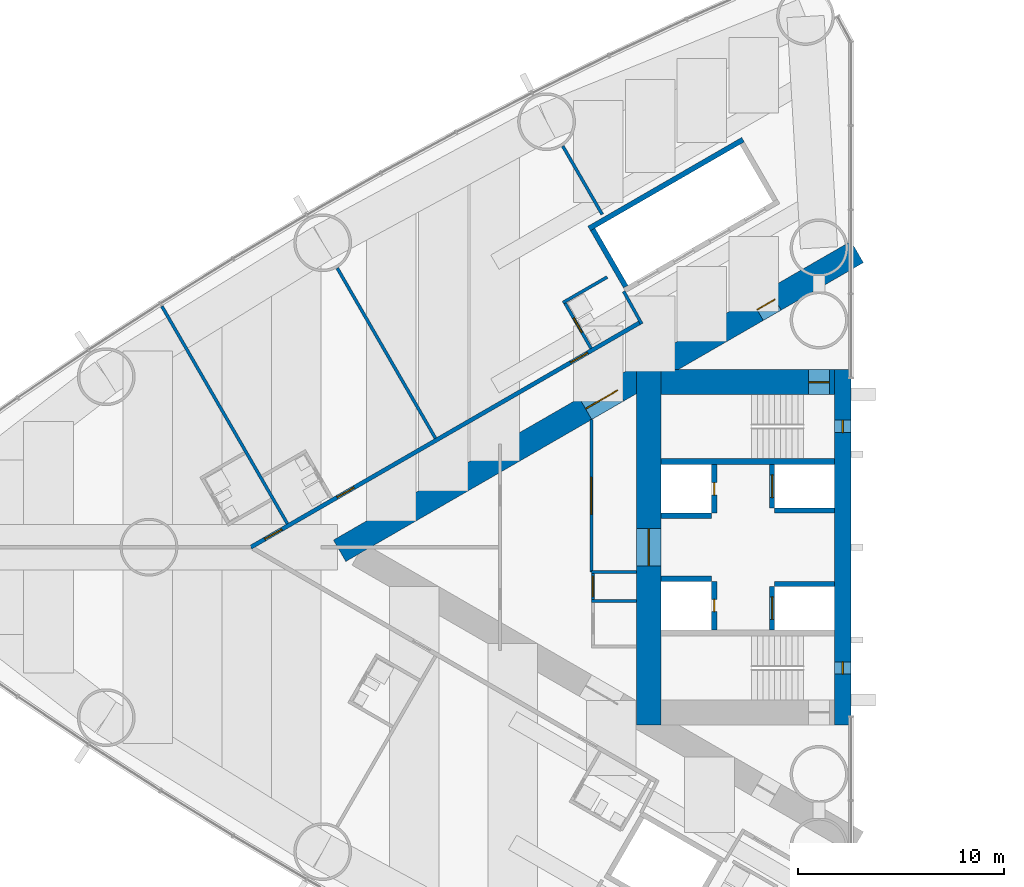
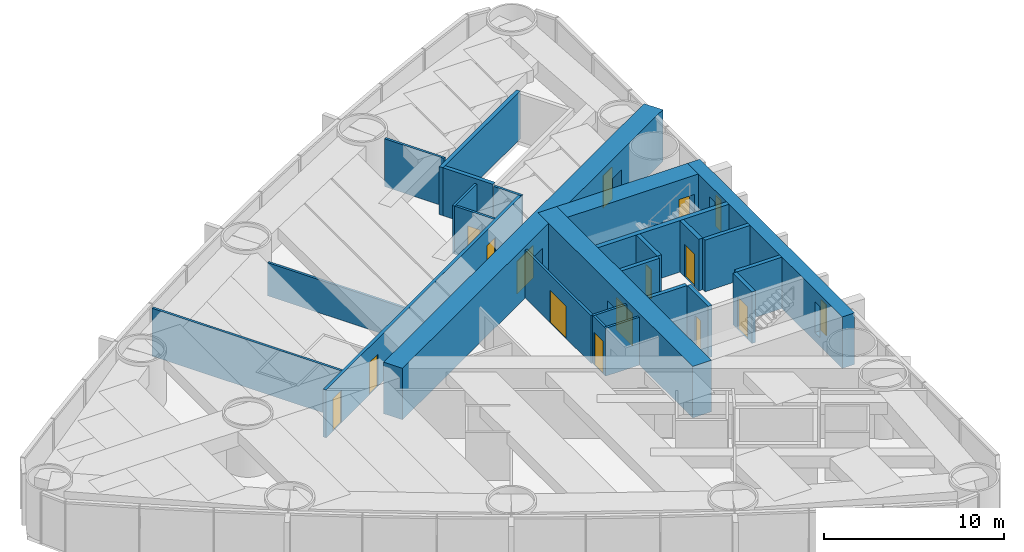
# One storey, part 12 of 19: 26 walls, 14 doors, 2 windows, 16 openings.
"""IFC4 building model written with IfcOpenShell, lengths in metres."""

from ifc_helpers import new_model, si_unit, direction, frame, frame_2d, origin, place, context, subcontext, project, spatial, rectangle, extrude, material, layer, layer_set, type_object, element, fill, save


model = new_model("IFC4")

# Units and contexts
model_context = context("Model", 3, precision=1e-05, world=origin(), true_north=direction((0.0, 1.0)))
body_context = subcontext(model_context, "Body", "Model", "MODEL_VIEW")
ifc_project = project(units=[si_unit("LENGTHUNIT", "METRE"), si_unit("AREAUNIT", "SQUARE_METRE"), si_unit("VOLUMEUNIT", "CUBIC_METRE"), si_unit("PLANEANGLEUNIT", "RADIAN"), si_unit("MASSUNIT", "GRAM", prefix="KILO")], contexts=[model_context])

# Site, building, storey
site_placement = place(None, origin())
site = spatial("IfcSite", under=ifc_project, at=site_placement, CompositionType="ELEMENT")
building_placement = place(site_placement, origin())
building = spatial("IfcBuilding", under=site, at=building_placement, Name="Lancet Gate Hotel", CompositionType="ELEMENT")
storey_placement = place(building_placement, frame((0.0, 0.0, 28.5)))
storey = spatial("IfcBuildingStorey", under=building, at=storey_placement, Name="L06", CompositionType="ELEMENT", Elevation=28.5)

# Wall
ifc_material_1 = material(Name="Moisture resistant board partition")
ifc_layer_1 = layer(ifc_material_1, 0.14990234375)
ifc_layer_set_1 = layer_set([ifc_layer_1], Name="Bathroom wall 150")
wall_type_1 = type_object("IfcWallType", Name="Bathroom wall 150", PredefinedType="PARTITIONING", material=ifc_layer_set_1)
wall_1_placement = place(storey_placement, frame((-39.309814453125, 13.081787109375, 0.0), z_axis=(0.0, 0.0, 1.0), x_axis=(-0.866031185235, -0.4999899861, 0.0)))
element("IfcWall", 1, at=wall_1_placement, inside=storey, type_object=wall_type_1, Name="T1 bathroom wall 150 L06", PredefinedType="PARTITIONING", context=body_context, shape_type="SweptSolid", body=[
    extrude(rectangle(XDim=2.47509765625, YDim=0.14990234375, at=frame_2d((1.237548828125, 0.0))), origin(), (0.0, 0.0, 1.0), 3.25),
])

# Wall, opening, door
wall_2_placement = place(storey_placement, frame((-40.08837890625, 9.630126953125, 0.0), z_axis=(0.0, 0.0, 1.0), x_axis=(-0.500006934395, 0.866021400173, 0.0)))
wall_2 = element("IfcWall", 2, at=wall_2_placement, inside=storey, type_object=wall_type_1, Name="T1 bathroom wall 150 L06", PredefinedType="PARTITIONING", context=body_context, shape_type="SweptSolid", body=[
    extrude(rectangle(XDim=2.60009765625, YDim=0.14990234375, at=frame_2d((1.300048828125, 0.0))), origin(), (0.0, 0.0, 1.0), 3.25),
])
opening_1_placement = place(wall_2_placement, frame((0.89990234375, 0.0, 0.0)))
opening_1 = element("IfcOpeningElement", 3, at=opening_1_placement, cuts=wall_2, Name="Opening 0602-B", PredefinedType="OPENING", context=body_context, shape_type="SweptSolid", body=[
    extrude(rectangle(XDim=0.800048828125, YDim=2.199951171875, at=frame_2d((0.39990234375, 1.10009765625))), frame((0.0, 0.0849609375, 0.0), z_axis=(0.0, -1.0, 0.0), x_axis=(1.0, 0.0, 0.0)), (0.0, 0.0, 1.0), 0.169921875),
])
ifc_material_2 = material(Name="Timber door set", Category="wood")
door_type_1 = type_object("IfcDoorType", Name="Bathroom door 800", OperationType="SINGLE_SWING_RIGHT", PredefinedType="DOOR", material=ifc_material_2)
door_1_placement = place(opening_1_placement, origin())
door_1 = element("IfcDoor", 4, at=door_1_placement, inside=storey, type_object=door_type_1, Name="0602-B", OperationType="SINGLE_SWING_RIGHT", OverallHeight=2.199951171875, OverallWidth=0.800048828125, PredefinedType="DOOR", context=body_context, shape_type="SweptSolid", body=[
    extrude(rectangle(XDim=0.800048828125, YDim=2.199951171875, at=frame_2d((0.39990234375, 1.10009765625))), frame((0.0, 0.02490234375, 0.0), z_axis=(0.0, -1.0, 0.0), x_axis=(1.0, 0.0, 0.0)), (0.0, 0.0, 1.0), 0.050048828125),
])
fill(opening_1, door_1)

# Wall, openings, doors
ifc_material_3 = material(Name="Concrete C70/85", Category="concrete")
ifc_layer_2 = layer(ifc_material_3, 1.199951171875)
ifc_layer_set_2 = layer_set([ifc_layer_2], Name="Buttress wall 1200")
wall_type_2 = type_object("IfcWallType", Name="Buttress wall 1200", PredefinedType="SHEAR", material=ifc_layer_set_2)
wall_3_placement = place(storey_placement, frame((-27.199951171875, 14.300048828125, 0.0), z_axis=(0.0, 0.0, 1.0), x_axis=(-0.866026593062, -0.499997940104, 0.0)))
wall_3 = element("IfcWall", 5, at=wall_3_placement, inside=storey, type_object=wall_type_2, Name="T1 buttress wall S L06", PredefinedType="SHEAR", context=body_context, shape_type="SweptSolid", body=[
    extrude(rectangle(XDim=28.9462890625, YDim=1.199951171875, at=frame_2d((14.47314453125, 0.0))), origin(), (0.0, 0.0, 1.0), 3.5),
])
opening_2_placement = place(wall_3_placement, frame((4.60009765625, 0.0, 0.0)))
opening_2 = element("IfcOpeningElement", 6, at=opening_2_placement, cuts=wall_3, Name="Opening T1-L06-LS", PredefinedType="OPENING", context=body_context, shape_type="SweptSolid", body=[
    extrude(rectangle(XDim=1.0, YDim=2.199951171875, at=frame_2d((0.5, 1.10009765625))), frame((0.0, 0.60986328125, 0.0), z_axis=(0.0, -1.0, 0.0), x_axis=(1.0, 0.0, 0.0)), (0.0, 0.0, 1.0), 1.219970703125),
])
opening_3_placement = place(wall_3_placement, frame((13.39453125, 0.0, 0.0)))
opening_3 = element("IfcOpeningElement", 7, at=opening_3_placement, cuts=wall_3, Name="Opening T1-L06-LHS", PredefinedType="OPENING", context=body_context, shape_type="SweptSolid", body=[
    extrude(rectangle(XDim=1.800048828125, YDim=2.199951171875, at=frame_2d((0.89990234375, 1.10009765625))), frame((0.0, 0.60986328125, 0.0), z_axis=(0.0, -1.0, 0.0), x_axis=(1.0, 0.0, 0.0)), (0.0, 0.0, 1.0), 1.219970703125),
])
ifc_material_4 = material(Name="Timber door set", Category="wood")
door_type_2 = type_object("IfcDoorType", Name="Lobby double door 1800", OperationType="DOUBLE_DOOR_SINGLE_SWING", PredefinedType="DOOR", material=ifc_material_4)
door_2_placement = place(opening_3_placement, origin())
door_2 = element("IfcDoor", 8, at=door_2_placement, inside=storey, type_object=door_type_2, Name="T1-L06-LHS", OperationType="DOUBLE_DOOR_SINGLE_SWING", OverallHeight=2.199951171875, OverallWidth=1.800048828125, PredefinedType="DOOR", context=body_context, shape_type="SweptSolid", body=[
    extrude(rectangle(XDim=1.800048828125, YDim=2.199951171875, at=frame_2d((0.89990234375, 1.10009765625))), frame((0.0, 0.02490234375, 0.0), z_axis=(0.0, -1.0, 0.0), x_axis=(1.0, 0.0, 0.0)), (0.0, 0.0, 1.0), 0.050048828125),
])
fill(opening_3, door_2)
ifc_material_5 = material(Name="Timber door set", Category="wood")
door_type_3 = type_object("IfcDoorType", Name="Stair lobby door 1000", OperationType="SINGLE_SWING_LEFT", PredefinedType="DOOR", material=ifc_material_5)
door_3_placement = place(opening_2_placement, origin())
door_3 = element("IfcDoor", 9, at=door_3_placement, inside=storey, type_object=door_type_3, Name="T1-L06-LS", OperationType="SINGLE_SWING_LEFT", OverallHeight=2.199951171875, OverallWidth=1.0, PredefinedType="DOOR", context=body_context, shape_type="SweptSolid", body=[
    extrude(rectangle(XDim=1.0, YDim=2.199951171875, at=frame_2d((0.5, 1.10009765625))), frame((0.0, 0.02490234375, 0.0), z_axis=(0.0, -1.0, 0.0), x_axis=(1.0, 0.0, 0.0)), (0.0, 0.0, 1.0), 0.050048828125),
])
fill(opening_2, door_3)

# Wall, opening, door
ifc_material_6 = material(Name="Concrete C70/85", Category="concrete")
ifc_layer_3 = layer(ifc_material_6, 1.199951171875)
ifc_layer_set_3 = layer_set([ifc_layer_3], Name="Core wall 1200")
wall_type_3 = type_object("IfcWallType", Name="Core wall 1200", PredefinedType="SHEAR", material=ifc_layer_set_3)
wall_4_placement = place(storey_placement, frame((-37.300048828125, 8.60009765625, 0.0), z_axis=(0.0, 0.0, 1.0), x_axis=(0.0, -1.0, 0.0)))
wall_4 = element("IfcWall", 10, at=wall_4_placement, inside=storey, type_object=wall_type_3, Name="T1 core wall back L06", PredefinedType="SHEAR", context=body_context, shape_type="SweptSolid", body=[
    extrude(rectangle(XDim=17.2001953125, YDim=1.199951171875, at=frame_2d((8.60009765625, 0.0))), origin(), (0.0, 0.0, 1.0), 3.5),
])
opening_4_placement = place(wall_4_placement, frame((7.699951171875, 0.0, 0.0)))
opening_4 = element("IfcOpeningElement", 11, at=opening_4_placement, cuts=wall_4, Name="Opening T1-L06-LL", PredefinedType="OPENING", context=body_context, shape_type="SweptSolid", body=[
    extrude(rectangle(XDim=1.800048828125, YDim=2.199951171875, at=frame_2d((0.89990234375, 1.10009765625))), frame((0.0, 0.60986328125, 0.0), z_axis=(0.0, -1.0, 0.0), x_axis=(1.0, 0.0, 0.0)), (0.0, 0.0, 1.0), 1.219970703125),
])
door_4_placement = place(opening_4_placement, origin())
door_4 = element("IfcDoor", 12, at=door_4_placement, inside=storey, type_object=door_type_2, Name="T1-L06-LL", OperationType="DOUBLE_DOOR_SINGLE_SWING", OverallHeight=2.199951171875, OverallWidth=1.800048828125, PredefinedType="DOOR", context=body_context, shape_type="SweptSolid", body=[
    extrude(rectangle(XDim=1.800048828125, YDim=2.199951171875, at=frame_2d((0.89990234375, 1.10009765625))), frame((0.0, 0.02490234375, 0.0), z_axis=(0.0, -1.0, 0.0), x_axis=(1.0, 0.0, 0.0)), (0.0, 0.0, 1.0), 0.050048828125),
])
fill(opening_4, door_4)

wall_5_placement = place(storey_placement, frame((-28.300048828125, 8.0, 0.0), z_axis=(0.0, 0.0, 1.0), x_axis=(-1.0, 0.0, 0.0)))
wall_5 = element("IfcWall", 13, at=wall_5_placement, inside=storey, type_object=wall_type_3, Name="T1 core wall side-S L06", PredefinedType="SHEAR", context=body_context, shape_type="SweptSolid", body=[
    extrude(rectangle(XDim=8.39990234375, YDim=1.199951171875, at=frame_2d((4.199951171875, 0.0))), origin(), (0.0, 0.0, 1.0), 3.5),
])
opening_5_placement = place(wall_5_placement, frame((0.25, 0.0, 0.0)))
opening_5 = element("IfcOpeningElement", 14, at=opening_5_placement, cuts=wall_5, Name="Opening T1-L06-ST1", PredefinedType="OPENING", context=body_context, shape_type="SweptSolid", body=[
    extrude(rectangle(XDim=1.0, YDim=2.199951171875, at=frame_2d((0.5, 1.10009765625))), frame((0.0, 0.60986328125, 0.0), z_axis=(0.0, -1.0, 0.0), x_axis=(1.0, 0.0, 0.0)), (0.0, 0.0, 1.0), 1.219970703125),
])
ifc_material_7 = material(Name="Timber door set", Category="wood")
door_type_4 = type_object("IfcDoorType", Name="Stair door 1000", OperationType="SINGLE_SWING_RIGHT", PredefinedType="DOOR", material=ifc_material_7)
door_5_placement = place(opening_5_placement, origin())
door_5 = element("IfcDoor", 15, at=door_5_placement, inside=storey, type_object=door_type_4, Name="T1-L06-ST1", OperationType="SINGLE_SWING_RIGHT", OverallHeight=2.199951171875, OverallWidth=1.0, PredefinedType="DOOR", context=body_context, shape_type="SweptSolid", body=[
    extrude(rectangle(XDim=1.0, YDim=2.199951171875, at=frame_2d((0.5, 1.10009765625))), frame((0.0, 0.02490234375, 0.0), z_axis=(0.0, -1.0, 0.0), x_axis=(1.0, 0.0, 0.0)), (0.0, 0.0, 1.0), 0.050048828125),
])
fill(opening_5, door_5)

# Wall, openings, windows
ifc_material_8 = material(Name="Concrete C70/85", Category="concrete")
ifc_layer_4 = layer(ifc_material_8, 0.800048828125)
ifc_layer_set_4 = layer_set([ifc_layer_4], Name="Core wall 800")
wall_type_4 = type_object("IfcWallType", Name="Core wall 800", PredefinedType="SHEAR", material=ifc_layer_set_4)
wall_6_placement = place(storey_placement, frame((-27.89990234375, 8.60009765625, 0.0), z_axis=(0.0, 0.0, 1.0), x_axis=(0.0, -1.0, 0.0)))
wall_6 = element("IfcWall", 16, at=wall_6_placement, inside=storey, type_object=wall_type_4, Name="T1 core wall front L06", PredefinedType="SHEAR", context=body_context, shape_type="SweptSolid", body=[
    extrude(rectangle(XDim=17.2001953125, YDim=0.800048828125, at=frame_2d((8.60009765625, 0.0))), origin(), (0.0, 0.0, 1.0), 3.5),
])
opening_6_placement = place(wall_6_placement, frame((2.449951171875, 0.0, 0.60009765625)))
opening_6 = element("IfcOpeningElement", 17, at=opening_6_placement, cuts=wall_6, Name="Opening LW1", PredefinedType="OPENING", context=body_context, shape_type="SweptSolid", body=[
    extrude(rectangle(XDim=0.60009765625, YDim=2.10009765625, at=frame_2d((0.300048828125, 1.050048828125))), frame((0.0, 0.409912109375, 0.0), z_axis=(0.0, -1.0, 0.0), x_axis=(1.0, 0.0, 0.0)), (0.0, 0.0, 1.0), 0.820068359375),
])
opening_7_placement = place(wall_6_placement, frame((14.14990234375, 0.0, 0.60009765625)))
opening_7 = element("IfcOpeningElement", 18, at=opening_7_placement, cuts=wall_6, Name="Opening LW1", PredefinedType="OPENING", context=body_context, shape_type="SweptSolid", body=[
    extrude(rectangle(XDim=0.60009765625, YDim=2.10009765625, at=frame_2d((0.300048828125, 1.050048828125))), frame((0.0, 0.409912109375, 0.0), z_axis=(0.0, -1.0, 0.0), x_axis=(1.0, 0.0, 0.0)), (0.0, 0.0, 1.0), 0.820068359375),
])
ifc_material_9 = material(Name="Fire-resisting glazed steel window", Category="steel")
window_type = type_object("IfcWindowType", Name="Lancet window 600x2100", PartitioningType="SINGLE_PANEL", PredefinedType="WINDOW", material=ifc_material_9)
window_1_placement = place(opening_6_placement, origin())
window_1 = element("IfcWindow", 19, at=window_1_placement, inside=storey, type_object=window_type, Name="T1 stair window S L06", OverallHeight=2.10009765625, OverallWidth=0.60009765625, PartitioningType="SINGLE_PANEL", PredefinedType="WINDOW", context=body_context, shape_type="SweptSolid", body=[
    extrude(rectangle(XDim=0.60009765625, YDim=2.10009765625, at=frame_2d((0.300048828125, 1.050048828125))), frame((0.0, 0.030029296875, 0.0), z_axis=(0.0, -1.0, 0.0), x_axis=(1.0, 0.0, 0.0)), (0.0, 0.0, 1.0), 0.06005859375),
])
fill(opening_6, window_1)
window_2_placement = place(opening_7_placement, origin())
window_2 = element("IfcWindow", 20, at=window_2_placement, inside=storey, type_object=window_type, Name="T1 stair window N L06", OverallHeight=2.10009765625, OverallWidth=0.60009765625, PartitioningType="SINGLE_PANEL", PredefinedType="WINDOW", context=body_context, shape_type="SweptSolid", body=[
    extrude(rectangle(XDim=0.60009765625, YDim=2.10009765625, at=frame_2d((0.300048828125, 1.050048828125))), frame((0.0, 0.030029296875, 0.0), z_axis=(0.0, -1.0, 0.0), x_axis=(1.0, 0.0, 0.0)), (0.0, 0.0, 1.0), 0.06005859375),
])
fill(opening_7, window_2)

# Wall, openings, doors
ifc_material_10 = material(Name="Gypsum board partition")
ifc_layer_5 = layer(ifc_material_10, 0.199951171875)
ifc_layer_set_5 = layer_set([ifc_layer_5], Name="Corridor wall 200")
wall_type_5 = type_object("IfcWallType", Name="Corridor wall 200", PredefinedType="PARTITIONING", material=ifc_layer_set_5)
wall_7_placement = place(storey_placement, frame((-37.699951171875, 10.8935546875, 0.0), z_axis=(0.0, 0.0, 1.0), x_axis=(-0.866027905338, -0.499995667157, 0.0)))
wall_7 = element("IfcWall", 21, at=wall_7_placement, inside=storey, type_object=wall_type_5, Name="T1 corridor wall 200 L06", PredefinedType="PARTITIONING", context=body_context, shape_type="SweptSolid", body=[
    extrude(rectangle(XDim=21.787353515625, YDim=0.199951171875, at=frame_2d((10.8935546875, 0.0))), origin(), (0.0, 0.0, 1.0), 3.25),
])
opening_8_placement = place(wall_7_placement, frame((16.008056640625, 0.0, 0.0)))
opening_8 = element("IfcOpeningElement", 22, at=opening_8_placement, cuts=wall_7, Name="Opening 0603-E", PredefinedType="OPENING", context=body_context, shape_type="SweptSolid", body=[
    extrude(rectangle(XDim=0.949951171875, YDim=2.199951171875, at=frame_2d((0.47509765625, 1.10009765625))), frame((0.0, 0.10986328125, 0.0), z_axis=(0.0, -1.0, 0.0), x_axis=(1.0, 0.0, 0.0)), (0.0, 0.0, 1.0), 0.219970703125),
])
opening_9_placement = place(wall_7_placement, frame((20.05810546875, 0.0, 0.0)))
opening_9 = element("IfcOpeningElement", 23, at=opening_9_placement, cuts=wall_7, Name="Opening 0604-E", PredefinedType="OPENING", context=body_context, shape_type="SweptSolid", body=[
    extrude(rectangle(XDim=0.949951171875, YDim=2.199951171875, at=frame_2d((0.47509765625, 1.10009765625))), frame((0.0, 0.10986328125, 0.0), z_axis=(0.0, -1.0, 0.0), x_axis=(1.0, 0.0, 0.0)), (0.0, 0.0, 1.0), 0.219970703125),
])
opening_10_placement = place(wall_7_placement, frame((2.949951171875, 0.0, 0.0)))
opening_10 = element("IfcOpeningElement", 24, at=opening_10_placement, cuts=wall_7, Name="Opening 0602-E", PredefinedType="OPENING", context=body_context, shape_type="SweptSolid", body=[
    extrude(rectangle(XDim=0.949951171875, YDim=2.199951171875, at=frame_2d((0.47509765625, 1.10009765625))), frame((0.0, 0.10986328125, 0.0), z_axis=(0.0, -1.0, 0.0), x_axis=(1.0, 0.0, 0.0)), (0.0, 0.0, 1.0), 0.219970703125),
])
ifc_material_11 = material(Name="Timber door set", Category="wood")
door_type_5 = type_object("IfcDoorType", Name="Guest room entry door 950", OperationType="SINGLE_SWING_LEFT", PredefinedType="DOOR", material=ifc_material_11)
door_6_placement = place(opening_8_placement, origin())
door_6 = element("IfcDoor", 25, at=door_6_placement, inside=storey, type_object=door_type_5, Name="0603-E", OperationType="SINGLE_SWING_LEFT", OverallHeight=2.199951171875, OverallWidth=0.949951171875, PredefinedType="DOOR", context=body_context, shape_type="SweptSolid", body=[
    extrude(rectangle(XDim=0.949951171875, YDim=2.199951171875, at=frame_2d((0.47509765625, 1.10009765625))), frame((0.0, 0.02490234375, 0.0), z_axis=(0.0, -1.0, 0.0), x_axis=(1.0, 0.0, 0.0)), (0.0, 0.0, 1.0), 0.050048828125),
])
fill(opening_8, door_6)
door_7_placement = place(opening_9_placement, origin())
door_7 = element("IfcDoor", 26, at=door_7_placement, inside=storey, type_object=door_type_5, Name="0604-E", OperationType="SINGLE_SWING_LEFT", OverallHeight=2.199951171875, OverallWidth=0.949951171875, PredefinedType="DOOR", context=body_context, shape_type="SweptSolid", body=[
    extrude(rectangle(XDim=0.949951171875, YDim=2.199951171875, at=frame_2d((0.47509765625, 1.10009765625))), frame((0.0, 0.02490234375, 0.0), z_axis=(0.0, -1.0, 0.0), x_axis=(1.0, 0.0, 0.0)), (0.0, 0.0, 1.0), 0.050048828125),
])
fill(opening_9, door_7)
door_8_placement = place(opening_10_placement, origin())
door_8 = element("IfcDoor", 27, at=door_8_placement, inside=storey, type_object=door_type_5, Name="0602-E", OperationType="SINGLE_SWING_LEFT", OverallHeight=2.199951171875, OverallWidth=0.949951171875, PredefinedType="DOOR", context=body_context, shape_type="SweptSolid", body=[
    extrude(rectangle(XDim=0.949951171875, YDim=2.199951171875, at=frame_2d((0.47509765625, 1.10009765625))), frame((0.0, 0.02490234375, 0.0), z_axis=(0.0, -1.0, 0.0), x_axis=(1.0, 0.0, 0.0)), (0.0, 0.0, 1.0), 0.050048828125),
])
fill(opening_10, door_8)

# Walls
ifc_material_12 = material(Name="Gypsum board partition")
ifc_layer_6 = layer(ifc_material_12, 0.25)
ifc_layer_set_6 = layer_set([ifc_layer_6], Name="Lift shaft partition 250")
wall_type_6 = type_object("IfcWallType", Name="Lift shaft partition 250", PredefinedType="PARTITIONING", material=ifc_layer_set_6)
wall_8_placement = place(storey_placement, frame((-32.735595703125, 19.73583984375, 0.0), z_axis=(0.0, 0.0, 1.0), x_axis=(-0.866028165386, -0.499995216735, 0.0)))
element("IfcWall", 28, at=wall_8_placement, inside=storey, type_object=wall_type_6, Name="T1 lift shaft wall LR L06", PredefinedType="PARTITIONING", context=body_context, shape_type="SweptSolid", body=[
    extrude(rectangle(XDim=8.60009765625, YDim=0.25, at=frame_2d((4.300048828125, 0.0))), origin(), (0.0, 0.0, 1.0), 3.25),
])
wall_9_placement = place(storey_placement, frame((-38.412841796875, 12.617919921875, 0.0), z_axis=(0.0, 0.0, 1.0), x_axis=(-0.499872130319, 0.866099216793, 0.0)))
element("IfcWall", 29, at=wall_9_placement, inside=storey, type_object=wall_type_6, Name="T1 lift shaft wall LR L06", PredefinedType="PARTITIONING", context=body_context, shape_type="SweptSolid", body=[
    extrude(rectangle(XDim=3.200439453125, YDim=0.25, at=frame_2d((1.60009765625, 0.0))), origin(), (0.0, 0.0, 1.0), 3.25),
])

# Wall, opening, door
ifc_material_13 = material(Name="Concrete C50/60", Category="concrete")
ifc_layer_7 = layer(ifc_material_13, 0.25)
ifc_layer_set_7 = layer_set([ifc_layer_7], Name="Lift shaft wall 250")
wall_type_7 = type_object("IfcWallType", Name="Lift shaft wall 250", PredefinedType="SHEAR", material=ifc_layer_set_7)
wall_10_placement = place(storey_placement, frame((-31.324951171875, 4.0, 0.0), z_axis=(0.0, 0.0, 1.0), x_axis=(0.0, -1.0, 0.0)))
wall_10 = element("IfcWall", 30, at=wall_10_placement, inside=storey, type_object=wall_type_7, Name="T1 core wall row1-S L06", PredefinedType="SHEAR", context=body_context, shape_type="SweptSolid", body=[
    extrude(rectangle(XDim=2.10009765625, YDim=0.25, at=frame_2d((1.050048828125, 0.0))), origin(), (0.0, 0.0, 1.0), 3.5),
])
opening_11_placement = place(wall_10_placement, frame((0.5, 0.0, 0.0)))
opening_11 = element("IfcOpeningElement", 31, at=opening_11_placement, cuts=wall_10, Name="Opening T1-SL1-L06", PredefinedType="OPENING", context=body_context, shape_type="SweptSolid", body=[
    extrude(rectangle(XDim=1.10009765625, YDim=2.199951171875, at=frame_2d((0.550048828125, 1.10009765625))), frame((0.0, 0.135009765625, 0.0), z_axis=(0.0, -1.0, 0.0), x_axis=(1.0, 0.0, 0.0)), (0.0, 0.0, 1.0), 0.27001953125),
])
ifc_material_14 = material(Name="Timber door set", Category="wood")
door_type_6 = type_object("IfcDoorType", Name="Service lift landing door 1100", OperationType="SLIDING_TO_LEFT", PredefinedType="USERDEFINED", material=ifc_material_14)
door_9_placement = place(opening_11_placement, origin())
door_9 = element("IfcDoor", 32, at=door_9_placement, inside=storey, type_object=door_type_6, Name="T1-SL1-L06", ObjectType="LIFT LANDING DOOR", OperationType="SLIDING_TO_LEFT", OverallHeight=2.199951171875, OverallWidth=1.10009765625, PredefinedType="USERDEFINED", context=body_context, shape_type="SweptSolid", body=[
    extrude(rectangle(XDim=1.10009765625, YDim=2.199951171875, at=frame_2d((0.550048828125, 1.10009765625))), frame((0.0, 0.02490234375, 0.0), z_axis=(0.0, -1.0, 0.0), x_axis=(1.0, 0.0, 0.0)), (0.0, 0.0, 1.0), 0.050048828125),
])
fill(opening_11, door_9)

wall_11_placement = place(storey_placement, frame((-34.125, 4.0, 0.0), z_axis=(0.0, 0.0, 1.0), x_axis=(0.0, -1.0, 0.0)))
wall_11 = element("IfcWall", 33, at=wall_11_placement, inside=storey, type_object=wall_type_7, Name="T1 core wall row2-S L06", PredefinedType="SHEAR", context=body_context, shape_type="SweptSolid", body=[
    extrude(rectangle(XDim=2.35009765625, YDim=0.25, at=frame_2d((1.175048828125, 0.0))), origin(), (0.0, 0.0, 1.0), 3.5),
])
opening_12_placement = place(wall_11_placement, frame((0.875, 0.0, 0.0)))
opening_12 = element("IfcOpeningElement", 34, at=opening_12_placement, cuts=wall_11, Name="Opening T1-OL3-L06-E", PredefinedType="OPENING", context=body_context, shape_type="SweptSolid", body=[
    extrude(rectangle(XDim=0.60009765625, YDim=2.0, at=frame_2d((0.300048828125, 1.0))), frame((0.0, 0.135009765625, 0.0), z_axis=(0.0, -1.0, 0.0), x_axis=(1.0, 0.0, 0.0)), (0.0, 0.0, 1.0), 0.27001953125),
])
ifc_material_15 = material(Name="Steel door set", Category="steel")
door_type_7 = type_object("IfcDoorType", Name="Lift shaft emergency door 600x2000", OperationType="SLIDING_TO_LEFT", PredefinedType="DOOR", material=ifc_material_15)
door_10_placement = place(opening_12_placement, origin())
door_10 = element("IfcDoor", 35, at=door_10_placement, inside=storey, type_object=door_type_7, Name="T1-OL3-L06-E", OperationType="SLIDING_TO_LEFT", OverallHeight=2.0, OverallWidth=0.60009765625, PredefinedType="DOOR", context=body_context, shape_type="SweptSolid", body=[
    extrude(rectangle(XDim=0.60009765625, YDim=2.0, at=frame_2d((0.300048828125, 1.0))), frame((0.0, 0.02490234375, 0.0), z_axis=(0.0, -1.0, 0.0), x_axis=(1.0, 0.0, 0.0)), (0.0, 0.0, 1.0), 0.050048828125),
])
fill(opening_12, door_10)

# Walls
wall_12_placement = place(storey_placement, frame((-28.300048828125, 1.77490234375, 0.0), z_axis=(0.0, 0.0, 1.0), x_axis=(-1.0, 0.0, 0.0)))
element("IfcWall", 36, at=wall_12_placement, inside=storey, type_object=wall_type_7, Name="T1 core wall pass1-S L06", PredefinedType="SHEAR", context=body_context, shape_type="SweptSolid", body=[
    extrude(rectangle(XDim=2.89990234375, YDim=0.25, at=frame_2d((1.449951171875, 0.0))), origin(), (0.0, 0.0, 1.0), 3.5),
])
wall_13_placement = place(storey_placement, frame((-34.25, 1.52490234375, 0.0), z_axis=(0.0, 0.0, 1.0), x_axis=(-1.0, 0.0, 0.0)))
element("IfcWall", 37, at=wall_13_placement, inside=storey, type_object=wall_type_7, Name="T1 core wall pass2-S L06", PredefinedType="SHEAR", context=body_context, shape_type="SweptSolid", body=[
    extrude(rectangle(XDim=2.449951171875, YDim=0.25, at=frame_2d((1.22509765625, 0.0))), origin(), (0.0, 0.0, 1.0), 3.5),
])

# Wall, opening, door
wall_14_placement = place(storey_placement, frame((-31.324951171875, -1.89990234375, 0.0), z_axis=(0.0, 0.0, 1.0), x_axis=(0.0, -1.0, 0.0)))
wall_14 = element("IfcWall", 38, at=wall_14_placement, inside=storey, type_object=wall_type_7, Name="T1 core wall row1-N L06", PredefinedType="SHEAR", context=body_context, shape_type="SweptSolid", body=[
    extrude(rectangle(XDim=2.10009765625, YDim=0.25, at=frame_2d((1.050048828125, 0.0))), origin(), (0.0, 0.0, 1.0), 3.5),
])
opening_13_placement = place(wall_14_placement, frame((0.5, 0.0, 0.0)))
opening_13 = element("IfcOpeningElement", 39, at=opening_13_placement, cuts=wall_14, Name="Opening T1-FL2-L06", PredefinedType="OPENING", context=body_context, shape_type="SweptSolid", body=[
    extrude(rectangle(XDim=1.10009765625, YDim=2.199951171875, at=frame_2d((0.550048828125, 1.10009765625))), frame((0.0, 0.135009765625, 0.0), z_axis=(0.0, -1.0, 0.0), x_axis=(1.0, 0.0, 0.0)), (0.0, 0.0, 1.0), 0.27001953125),
])
ifc_material_16 = material(Name="Steel door set", Category="steel")
door_type_8 = type_object("IfcDoorType", Name="Firefighting lift landing door 1100", OperationType="SLIDING_TO_LEFT", PredefinedType="USERDEFINED", material=ifc_material_16)
door_11_placement = place(opening_13_placement, origin())
door_11 = element("IfcDoor", 40, at=door_11_placement, inside=storey, type_object=door_type_8, Name="T1-FL2-L06", ObjectType="LIFT LANDING DOOR", OperationType="SLIDING_TO_LEFT", OverallHeight=2.199951171875, OverallWidth=1.10009765625, PredefinedType="USERDEFINED", context=body_context, shape_type="SweptSolid", body=[
    extrude(rectangle(XDim=1.10009765625, YDim=2.199951171875, at=frame_2d((0.550048828125, 1.10009765625))), frame((0.0, 0.02490234375, 0.0), z_axis=(0.0, -1.0, 0.0), x_axis=(1.0, 0.0, 0.0)), (0.0, 0.0, 1.0), 0.050048828125),
])
fill(opening_13, door_11)

wall_15_placement = place(storey_placement, frame((-34.125, -1.64990234375, 0.0), z_axis=(0.0, 0.0, 1.0), x_axis=(0.0, -1.0, 0.0)))
wall_15 = element("IfcWall", 41, at=wall_15_placement, inside=storey, type_object=wall_type_7, Name="T1 core wall row2-N L06", PredefinedType="SHEAR", context=body_context, shape_type="SweptSolid", body=[
    extrude(rectangle(XDim=2.35009765625, YDim=0.25, at=frame_2d((1.175048828125, 0.0))), origin(), (0.0, 0.0, 1.0), 3.5),
])
opening_14_placement = place(wall_15_placement, frame((0.875, 0.0, 0.0)))
opening_14 = element("IfcOpeningElement", 42, at=opening_14_placement, cuts=wall_15, Name="Opening T1-OL4-L06-E", PredefinedType="OPENING", context=body_context, shape_type="SweptSolid", body=[
    extrude(rectangle(XDim=0.60009765625, YDim=2.0, at=frame_2d((0.300048828125, 1.0))), frame((0.0, 0.135009765625, 0.0), z_axis=(0.0, -1.0, 0.0), x_axis=(1.0, 0.0, 0.0)), (0.0, 0.0, 1.0), 0.27001953125),
])
door_12_placement = place(opening_14_placement, origin())
door_12 = element("IfcDoor", 43, at=door_12_placement, inside=storey, type_object=door_type_7, Name="T1-OL4-L06-E", OperationType="SLIDING_TO_LEFT", OverallHeight=2.0, OverallWidth=0.60009765625, PredefinedType="DOOR", context=body_context, shape_type="SweptSolid", body=[
    extrude(rectangle(XDim=0.60009765625, YDim=2.0, at=frame_2d((0.300048828125, 1.0))), frame((0.0, 0.02490234375, 0.0), z_axis=(0.0, -1.0, 0.0), x_axis=(1.0, 0.0, 0.0)), (0.0, 0.0, 1.0), 0.050048828125),
])
fill(opening_14, door_12)

# Walls
wall_16_placement = place(storey_placement, frame((-28.300048828125, -1.77490234375, 0.0), z_axis=(0.0, 0.0, 1.0), x_axis=(-1.0, 0.0, 0.0)))
element("IfcWall", 44, at=wall_16_placement, inside=storey, type_object=wall_type_7, Name="T1 core wall pass1-N L06", PredefinedType="SHEAR", context=body_context, shape_type="SweptSolid", body=[
    extrude(rectangle(XDim=2.89990234375, YDim=0.25, at=frame_2d((1.449951171875, 0.0))), origin(), (0.0, 0.0, 1.0), 3.5),
])
wall_17_placement = place(storey_placement, frame((-34.25, -1.52490234375, 0.0), z_axis=(0.0, 0.0, 1.0), x_axis=(-1.0, 0.0, 0.0)))
element("IfcWall", 45, at=wall_17_placement, inside=storey, type_object=wall_type_7, Name="T1 core wall pass2-N L06", PredefinedType="SHEAR", context=body_context, shape_type="SweptSolid", body=[
    extrude(rectangle(XDim=2.449951171875, YDim=0.25, at=frame_2d((1.22509765625, 0.0))), origin(), (0.0, 0.0, 1.0), 3.5),
])
ifc_material_17 = material(Name="Gypsum board partition")
ifc_layer_8 = layer(ifc_material_17, 0.14990234375)
ifc_layer_set_8 = layer_set([ifc_layer_8], Name="Party wall 150")
wall_type_8 = type_object("IfcWallType", Name="Party wall 150", PredefinedType="PARTITIONING", material=ifc_layer_set_8)
wall_18_placement = place(storey_placement, frame((-47.626708984375, 5.27783203125, 0.0), z_axis=(0.0, 0.0, 1.0), x_axis=(-0.500009844318, 0.86601972009, 0.0)))
element("IfcWall", 46, at=wall_18_placement, inside=storey, type_object=wall_type_8, Name="T1 party wall 150 L06", PredefinedType="PARTITIONING", context=body_context, shape_type="SweptSolid", body=[
    extrude(rectangle(XDim=9.510498046875, YDim=0.14990234375, at=frame_2d((4.75537109375, 0.0))), origin(), (0.0, 0.0, 1.0), 2.25),
])
wall_19_placement = place(storey_placement, frame((-54.796142578125, 1.138671875, 0.0), z_axis=(0.0, 0.0, 1.0), x_axis=(-0.499998860433, 0.866026061713, 0.0)))
element("IfcWall", 47, at=wall_19_placement, inside=storey, type_object=wall_type_8, Name="T1 party wall 150 L06", PredefinedType="PARTITIONING", context=body_context, shape_type="SweptSolid", body=[
    extrude(rectangle(XDim=12.15673828125, YDim=0.14990234375, at=frame_2d((6.078369140625, 0.0))), origin(), (0.0, 0.0, 1.0), 3.25),
])
wall_20_placement = place(storey_placement, frame((-39.55078125, 16.11865234375, 0.0), z_axis=(0.0, 0.0, 1.0), x_axis=(-0.500014214979, 0.866017196607, 0.0)))
element("IfcWall", 48, at=wall_20_placement, inside=storey, type_object=wall_type_8, Name="T1 party wall 150 L06", PredefinedType="PARTITIONING", context=body_context, shape_type="SweptSolid", body=[
    extrude(rectangle(XDim=3.81494140625, YDim=0.14990234375, at=frame_2d((1.907470703125, 0.0))), origin(), (0.0, 0.0, 1.0), 3.25),
])
ifc_material_18 = material(Name="Gypsum board partition")
ifc_layer_9 = layer(ifc_material_18, 0.14990234375)
ifc_layer_set_9 = layer_set([ifc_layer_9], Name="Service room wall 150")
wall_type_9 = type_object("IfcWallType", Name="Service room wall 150", PredefinedType="PARTITIONING", material=ifc_layer_set_9)
wall_21_placement = place(storey_placement, frame((-38.513427734375, 12.392333984375, 0.0), z_axis=(0.0, 0.0, 1.0), x_axis=(0.485585508183, -0.874189175317, 0.0)))
element("IfcWall", 49, at=wall_21_placement, inside=storey, type_object=wall_type_9, Name="T1 service room wall 150 L06", PredefinedType="PARTITIONING", context=body_context, shape_type="SweptSolid", body=[
    extrude(rectangle(XDim=1.804931640625, YDim=0.14990234375, at=frame_2d((0.90234375, 0.0))), origin(), (0.0, 0.0, 1.0), 3.25),
])
for number, where, z_axis, x_axis, name in (
    (50, (-37.89990234375, -1.199951171875, 0.0), (0.0, 0.0, 1.0), (-1.0, 0.0, 0.0), "T1 service room wall 150 L06"),
    (51, (-37.89990234375, -2.60009765625, 0.0), (0.0, 0.0, 1.0), (-1.0, 0.0, 0.0), "T1 service room wall 150 L06"),
):
    element("IfcWall", number, at=place(storey_placement, frame(where, z_axis=z_axis, x_axis=x_axis)), inside=storey, type_object=wall_type_9, Name=name, PredefinedType="PARTITIONING", context=body_context, shape_type="SweptSolid", body=[
        extrude(rectangle(XDim=2.175048828125, YDim=0.14990234375, at=frame_2d((1.08740234375, 0.0))), origin(), (0.0, 0.0, 1.0), 3.25),
    ])

# Wall, opening, door
wall_22_placement = place(storey_placement, frame((-40.0, -1.125, 0.0), z_axis=(0.0, 0.0, 1.0), x_axis=(0.0, -1.0, 0.0)))
wall_22 = element("IfcWall", 52, at=wall_22_placement, inside=storey, type_object=wall_type_9, Name="T1 service room wall 150 L06", PredefinedType="PARTITIONING", context=body_context, shape_type="SweptSolid", body=[
    extrude(rectangle(XDim=1.550048828125, YDim=0.14990234375, at=frame_2d((0.77490234375, 0.0))), origin(), (0.0, 0.0, 1.0), 3.25),
])
opening_15_placement = place(wall_22_placement, frame((0.27490234375, 0.0, 0.0)))
opening_15 = element("IfcOpeningElement", 53, at=opening_15_placement, cuts=wall_22, Name="Opening T1-L06-HRN0", PredefinedType="OPENING", context=body_context, shape_type="SweptSolid", body=[
    extrude(rectangle(XDim=1.0, YDim=2.199951171875, at=frame_2d((0.5, 1.10009765625))), frame((0.0, 0.0849609375, 0.0), z_axis=(0.0, -1.0, 0.0), x_axis=(1.0, 0.0, 0.0)), (0.0, 0.0, 1.0), 0.169921875),
])
ifc_material_19 = material(Name="Timber door set", Category="wood")
door_type_9 = type_object("IfcDoorType", Name="Service door 1000", OperationType="SINGLE_SWING_LEFT", PredefinedType="DOOR", material=ifc_material_19)
door_13_placement = place(opening_15_placement, origin())
door_13 = element("IfcDoor", 54, at=door_13_placement, inside=storey, type_object=door_type_9, Name="T1-L06-HRN0", OperationType="SINGLE_SWING_LEFT", OverallHeight=2.199951171875, OverallWidth=1.0, PredefinedType="DOOR", context=body_context, shape_type="SweptSolid", body=[
    extrude(rectangle(XDim=1.0, YDim=2.199951171875, at=frame_2d((0.5, 1.10009765625))), frame((0.0, 0.02490234375, 0.0), z_axis=(0.0, -1.0, 0.0), x_axis=(1.0, 0.0, 0.0)), (0.0, 0.0, 1.0), 0.050048828125),
])
fill(opening_15, door_13)

wall_23_placement = place(storey_placement, frame((-40.074951171875, 6.173828125, 0.0), z_axis=(0.0, 0.0, 1.0), x_axis=(0.0, -1.0, 0.0)))
wall_23 = element("IfcWall", 55, at=wall_23_placement, inside=storey, type_object=wall_type_9, Name="T1 service room wall 150 L06", PredefinedType="PARTITIONING", context=body_context, shape_type="SweptSolid", body=[
    extrude(rectangle(XDim=7.373779296875, YDim=0.14990234375, at=frame_2d((3.68701171875, 0.0))), origin(), (0.0, 0.0, 1.0), 3.25),
])
opening_16_placement = place(wall_23_placement, frame((2.786865234375, 0.0, 0.0)))
opening_16 = element("IfcOpeningElement", 56, at=opening_16_placement, cuts=wall_23, Name="Opening T1-L06-LH", PredefinedType="OPENING", context=body_context, shape_type="SweptSolid", body=[
    extrude(rectangle(XDim=1.800048828125, YDim=2.199951171875, at=frame_2d((0.89990234375, 1.10009765625))), frame((0.0, 0.0849609375, 0.0), z_axis=(0.0, -1.0, 0.0), x_axis=(1.0, 0.0, 0.0)), (0.0, 0.0, 1.0), 0.169921875),
])
door_14_placement = place(opening_16_placement, origin())
door_14 = element("IfcDoor", 57, at=door_14_placement, inside=storey, type_object=door_type_2, Name="T1-L06-LH", OperationType="DOUBLE_DOOR_SINGLE_SWING", OverallHeight=2.199951171875, OverallWidth=1.800048828125, PredefinedType="DOOR", context=body_context, shape_type="SweptSolid", body=[
    extrude(rectangle(XDim=1.800048828125, YDim=2.199951171875, at=frame_2d((0.89990234375, 1.10009765625))), frame((0.0, 0.02490234375, 0.0), z_axis=(0.0, -1.0, 0.0), x_axis=(1.0, 0.0, 0.0)), (0.0, 0.0, 1.0), 0.050048828125),
])
fill(opening_16, door_14)

# Wall
ifc_material_20 = material(Name="Concrete C50/60", Category="concrete")
ifc_layer_10 = layer(ifc_material_20, 0.300048828125)
ifc_layer_set_10 = layer_set([ifc_layer_10], Name="Stair enclosure wall 300")
wall_type_10 = type_object("IfcWallType", Name="Stair enclosure wall 300", PredefinedType="SHEAR", material=ifc_layer_set_10)
wall_24_placement = place(storey_placement, frame((-28.300048828125, 4.14990234375, 0.0), z_axis=(0.0, 0.0, 1.0), x_axis=(-1.0, 0.0, 0.0)))
element("IfcWall", 58, at=wall_24_placement, inside=storey, type_object=wall_type_10, Name="T1 core wall stair-S L06", PredefinedType="SHEAR", context=body_context, shape_type="SweptSolid", body=[
    extrude(rectangle(XDim=8.39990234375, YDim=0.300048828125, at=frame_2d((4.199951171875, 0.0))), origin(), (0.0, 0.0, 1.0), 3.5),
])

save(model, "model.ifc")
